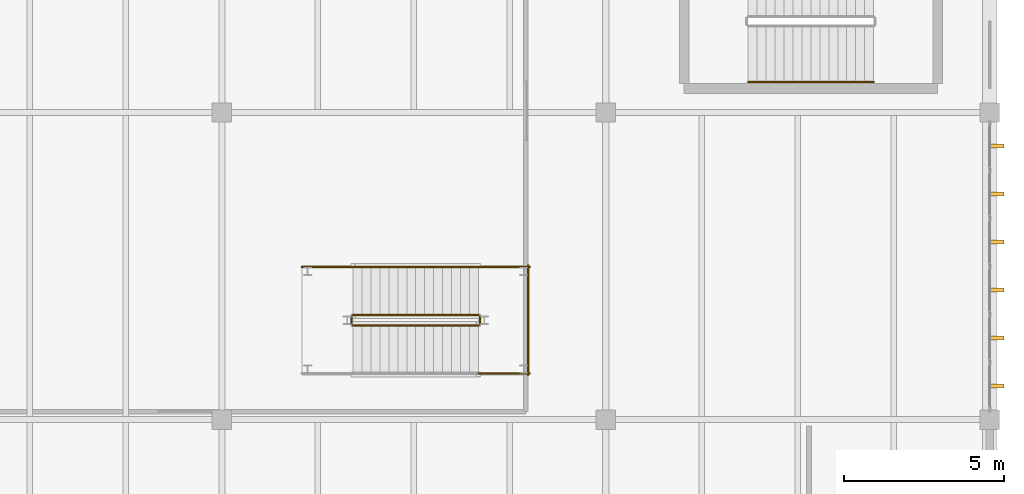
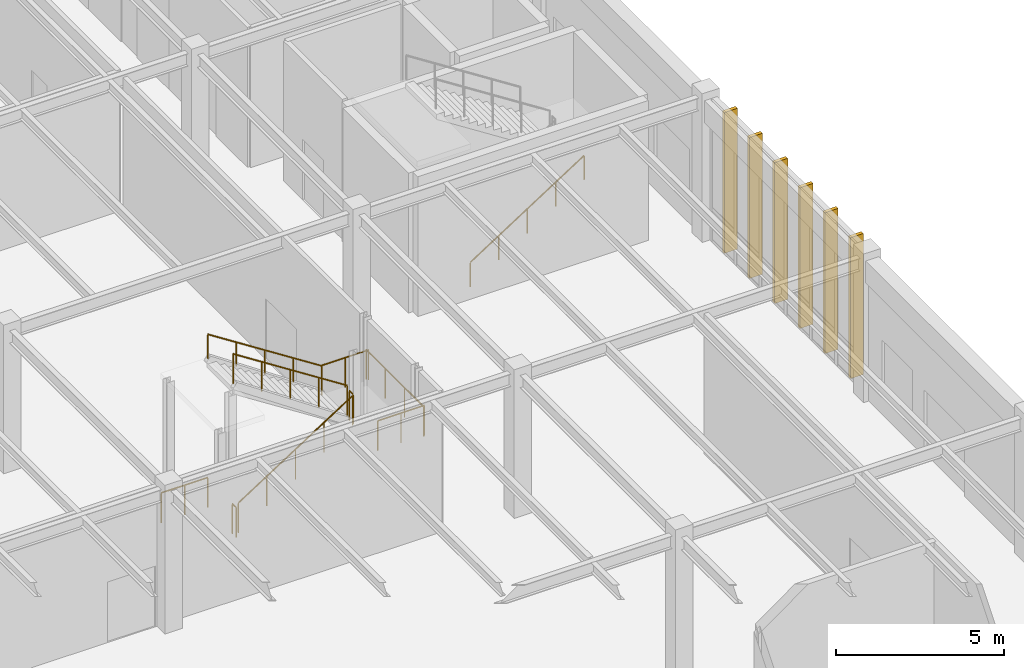
# One storey, part 182 of 188: 10 railings, 6 shading devices.
"""IFC4 building model written with IfcOpenShell, lengths in metres."""

from ifc_helpers import new_model, si_unit, direction, frame, origin, origin_2d, place, context, subcontext, project, spatial, rectangle, circle, extrude, material, type_object, element, save


model = new_model("IFC4")

# Units and contexts
model_context = context("Model", 3, precision=1e-05, world=origin(), true_north=direction((0.0, 1.0)))
body_context = subcontext(model_context, "Body", "Model", "MODEL_VIEW")
ifc_project = project(units=[si_unit("LENGTHUNIT", "METRE"), si_unit("AREAUNIT", "SQUARE_METRE"), si_unit("VOLUMEUNIT", "CUBIC_METRE"), si_unit("PLANEANGLEUNIT", "RADIAN"), si_unit("MASSUNIT", "GRAM", prefix="KILO")], contexts=[model_context])

# Site, building, storey
site_placement = place(None, origin())
site = spatial("IfcSite", under=ifc_project, at=site_placement, CompositionType="ELEMENT")
building_placement = place(site_placement, origin())
building = spatial("IfcBuilding", under=site, at=building_placement, Name="Pandanus Reach Market Hall", CompositionType="ELEMENT")
storey_placement = place(building_placement, origin())
storey = spatial("IfcBuildingStorey", under=building, at=storey_placement, Name="L00", CompositionType="ELEMENT", Elevation=0.0)

# Shading devices
ifc_material_1 = material(Name="Precast concrete S50 (50 MPa)", Category="concrete")
shading_device_type = type_object("IfcShadingDeviceType", Name="FN-S50-450", PredefinedType="JALOUSIE", material=ifc_material_1)
for number, where, z_axis, x_axis, name in (
    (1, (180.219970703125, 20.25, -0.010009765625), (0.0, 0.0, 1.0), (1.0, 0.0, 0.0), "Precast brise-soleil fin 267"),
    (2, (180.219970703125, 21.75, -0.010009765625), (0.0, 0.0, 1.0), (1.0, 0.0, 0.0), "Precast brise-soleil fin 268"),
    (3, (180.219970703125, 23.25, -0.010009765625), (0.0, 0.0, 1.0), (1.0, 0.0, 0.0), "Precast brise-soleil fin 269"),
    (4, (180.219970703125, 24.75, -0.010009765625), (0.0, 0.0, 1.0), (1.0, 0.0, 0.0), "Precast brise-soleil fin 270"),
    (5, (180.219970703125, 26.25, -0.010009765625), (0.0, 0.0, 1.0), (1.0, 0.0, 0.0), "Precast brise-soleil fin 271"),
    (6, (180.219970703125, 27.75, -0.010009765625), (0.0, 0.0, 1.0), (1.0, 0.0, 0.0), "Precast brise-soleil fin 272"),
):
    element("IfcShadingDevice", number, at=place(storey_placement, frame(where, z_axis=z_axis, x_axis=x_axis)), inside=storey, type_object=shading_device_type, Name=name, PredefinedType="JALOUSIE", context=body_context, shape_type="SweptSolid", body=[
        extrude(rectangle(XDim=0.449951171875, YDim=0.1201171875, at=origin_2d()), origin(), (0.0, 0.0, 1.0), 5.1201171875),
    ])

# Railings
ifc_material_2 = material(Name="Galvanised steel Grade 350 (350 MPa)", Category="steel")
railing_type_1 = type_object("IfcRailingType", Name="GR-INT-110", PredefinedType="GUARDRAIL", material=ifc_material_2)
railing_1_placement = place(storey_placement, frame((160.10009765625, 22.14990234375, 0.179931640625)))
element("IfcRailing", 7, at=railing_1_placement, inside=storey, type_object=railing_type_1, Name="Stair guard ST-11 L00.181", PredefinedType="GUARDRAIL", context=body_context, shape_type="SweptSolid", body=[
    extrude(circle(Radius=0.02392578125, at=origin_2d()), frame((0.0, 0.0, 1.076171875), z_axis=(0.841171666519, 0.0, 0.540768182723), x_axis=(0.0, 1.0, 0.0)), (0.0, 0.0, 1.0), 4.66015625),
    extrude(circle(Radius=0.02099609375, at=origin_2d()), origin(), (0.0, 0.0, 1.0), 1.052001953125),
    extrude(circle(Radius=0.02099609375, at=origin_2d()), frame((0.97998046875, 0.0, 0.6298828125)), (0.0, 0.0, 1.0), 1.052001953125),
    extrude(circle(Radius=0.02099609375, at=origin_2d()), frame((1.9599609375, 0.0, 1.260009765625)), (0.0, 0.0, 1.0), 1.052001953125),
    extrude(circle(Radius=0.02099609375, at=origin_2d()), frame((2.93994140625, 0.0, 1.89013671875)), (0.0, 0.0, 1.0), 1.052001953125),
    extrude(circle(Radius=0.02099609375, at=origin_2d()), frame((3.919921875, 0.0, 2.52001953125)), (0.0, 0.0, 1.0), 1.052001953125),
])
railing_2_placement = place(storey_placement, frame((164.070068359375, 22.199951171875, 2.699951171875)))
element("IfcRailing", 8, at=railing_2_placement, inside=storey, type_object=railing_type_1, Name="Stair guard ST-11 L00.182", PredefinedType="GUARDRAIL", context=body_context, shape_type="SweptSolid", body=[
    extrude(circle(Radius=0.02392578125, at=origin_2d()), frame((0.0, 0.0, 1.076171875), z_axis=(0.0, 1.0, 0.0), x_axis=(-1.0, 0.0, 0.0)), (0.0, 0.0, 1.0), 0.219970703125),
    extrude(circle(Radius=0.02099609375, at=origin_2d()), origin(), (0.0, 0.0, 1.0), 1.052001953125),
    extrude(circle(Radius=0.02099609375, at=origin_2d()), frame((0.0, 0.219970703125, 0.0)), (0.0, 0.0, 1.0), 1.052001953125),
])
for number, where, name in (
    (9, (164.02001953125, 20.64990234375, 2.699951171875), "Stair guard ST-11 L00.183"),
    (10, (164.02001953125, 23.969970703125, 2.699951171875), "Stair guard ST-11 L00.184"),
):
    element("IfcRailing", number, at=place(storey_placement, frame(where)), inside=storey, type_object=railing_type_1, Name=name, PredefinedType="GUARDRAIL", context=body_context, shape_type="SweptSolid", body=[
        extrude(circle(Radius=0.02392578125, at=origin_2d()), frame((0.0, 0.0, 1.076171875), z_axis=(1.0, 0.0, 0.0), x_axis=(0.0, 1.0, 0.0)), (0.0, 0.0, 1.0), 1.60009765625),
        extrude(circle(Radius=0.02099609375, at=origin_2d()), origin(), (0.0, 0.0, 1.0), 1.052001953125),
        extrude(circle(Radius=0.02099609375, at=origin_2d()), frame((0.800048828125, 0.0, 0.0)), (0.0, 0.0, 1.0), 1.052001953125),
        extrude(circle(Radius=0.02099609375, at=origin_2d()), frame((1.60009765625, 0.0, 0.0)), (0.0, 0.0, 1.0), 1.052001953125),
    ])
railing_3_placement = place(storey_placement, frame((165.570068359375, 20.60009765625, 2.699951171875)))
element("IfcRailing", 11, at=railing_3_placement, inside=storey, type_object=railing_type_1, Name="Stair guard ST-11 L00.185", PredefinedType="GUARDRAIL", context=body_context, shape_type="SweptSolid", body=[
    extrude(circle(Radius=0.02392578125, at=origin_2d()), frame((0.0, 0.0, 1.076171875), z_axis=(0.0, 1.0, 0.0), x_axis=(-1.0, 0.0, 0.0)), (0.0, 0.0, 1.0), 3.419921875),
    extrude(circle(Radius=0.02099609375, at=origin_2d()), origin(), (0.0, 0.0, 1.0), 1.052001953125),
    extrude(circle(Radius=0.02099609375, at=origin_2d()), frame((0.0, 1.139892578125, 0.0)), (0.0, 0.0, 1.0), 1.052001953125),
    extrude(circle(Radius=0.02099609375, at=origin_2d()), frame((0.0, 2.280029296875, 0.0)), (0.0, 0.0, 1.0), 1.052001953125),
    extrude(circle(Radius=0.02099609375, at=origin_2d()), frame((0.0, 3.419921875, 0.0)), (0.0, 0.0, 1.0), 1.052001953125),
])
railing_4_placement = place(storey_placement, frame((164.02001953125, 22.469970703125, 2.8798828125)))
element("IfcRailing", 12, at=railing_4_placement, inside=storey, type_object=railing_type_1, Name="Stair guard ST-11 L00.186", PredefinedType="GUARDRAIL", context=body_context, shape_type="SweptSolid", body=[
    extrude(circle(Radius=0.02392578125, at=origin_2d()), frame((0.0, 0.0, 1.076171875), z_axis=(-0.841171666519, 0.0, 0.540768182723), x_axis=(0.0, -1.0, 0.0)), (0.0, 0.0, 1.0), 4.66015625),
    extrude(circle(Radius=0.02099609375, at=origin_2d()), origin(), (0.0, 0.0, 1.0), 1.052001953125),
    extrude(circle(Radius=0.02099609375, at=origin_2d()), frame((-0.97998046875, 0.0, 0.6298828125)), (0.0, 0.0, 1.0), 1.052001953125),
    extrude(circle(Radius=0.02099609375, at=origin_2d()), frame((-1.9599609375, 0.0, 1.260009765625)), (0.0, 0.0, 1.0), 1.052001953125),
    extrude(circle(Radius=0.02099609375, at=origin_2d()), frame((-2.93994140625, 0.0, 1.89013671875)), (0.0, 0.0, 1.0), 1.052001953125),
    extrude(circle(Radius=0.02099609375, at=origin_2d()), frame((-3.919921875, 0.0, 2.52001953125)), (0.0, 0.0, 1.0), 1.052001953125),
])
railing_5_placement = place(storey_placement, frame((160.050048828125, 22.199951171875, 0.0)))
element("IfcRailing", 13, at=railing_5_placement, inside=storey, type_object=railing_type_1, Name="Stair guard ST-11 L00.187", PredefinedType="GUARDRAIL", context=body_context, shape_type="SweptSolid", body=[
    extrude(circle(Radius=0.02392578125, at=origin_2d()), frame((0.0, 0.0, 1.076171875), z_axis=(0.0, 1.0, 0.0), x_axis=(-1.0, 0.0, 0.0)), (0.0, 0.0, 1.0), 0.219970703125),
    extrude(circle(Radius=0.02099609375, at=origin_2d()), origin(), (0.0, 0.0, 1.0), 1.052001953125),
    extrude(circle(Radius=0.02099609375, at=origin_2d()), frame((0.0, 0.219970703125, 0.0)), (0.0, 0.0, 1.0), 1.052001953125),
])
railing_6_placement = place(storey_placement, frame((158.5, 23.969970703125, 0.0)))
element("IfcRailing", 14, at=railing_6_placement, inside=storey, type_object=railing_type_1, Name="Stair guard ST-11 L00.189", PredefinedType="GUARDRAIL", context=body_context, shape_type="SweptSolid", body=[
    extrude(circle(Radius=0.02392578125, at=origin_2d()), frame((0.0, 0.0, 1.076171875), z_axis=(1.0, 0.0, 0.0), x_axis=(0.0, 1.0, 0.0)), (0.0, 0.0, 1.0), 1.60009765625),
    extrude(circle(Radius=0.02099609375, at=origin_2d()), origin(), (0.0, 0.0, 1.0), 1.052001953125),
    extrude(circle(Radius=0.02099609375, at=origin_2d()), frame((0.800048828125, 0.0, 0.0)), (0.0, 0.0, 1.0), 1.052001953125),
    extrude(circle(Radius=0.02099609375, at=origin_2d()), frame((1.60009765625, 0.0, 0.0)), (0.0, 0.0, 1.0), 1.052001953125),
])
ifc_material_3 = material(Name="Brushed stainless steel", Category="steel")
railing_type_2 = type_object("IfcRailingType", Name="HR-WAL-090", PredefinedType="HANDRAIL", material=ifc_material_3)
railing_7_placement = place(storey_placement, frame((172.449951171875, 29.75, 0.179931640625)))
element("IfcRailing", 15, at=railing_7_placement, inside=storey, type_object=railing_type_2, Name="Stair handrail ST-01 L00.11", PredefinedType="HANDRAIL", context=body_context, shape_type="SweptSolid", body=[
    extrude(circle(Radius=0.02392578125, at=origin_2d()), frame((0.0, 0.0, 0.8759765625), z_axis=(0.841186985886, 0.0, 0.540744352514), x_axis=(0.0, 1.0, 0.0)), (0.0, 0.0, 1.0), 4.660400390625),
    extrude(circle(Radius=0.02099609375, at=origin_2d()), origin(), (0.0, 0.0, 1.0), 0.851806640625),
    extrude(circle(Radius=0.02099609375, at=origin_2d()), frame((0.97998046875, 0.0, 0.6298828125)), (0.0, 0.0, 1.0), 0.851806640625),
    extrude(circle(Radius=0.02099609375, at=origin_2d()), frame((1.9599609375, 0.0, 1.260009765625)), (0.0, 0.0, 1.0), 0.851806640625),
    extrude(circle(Radius=0.02099609375, at=origin_2d()), frame((2.940185546875, 0.0, 1.89013671875)), (0.0, 0.0, 1.0), 0.851806640625),
    extrude(circle(Radius=0.02099609375, at=origin_2d()), frame((3.920166015625, 0.0, 2.52001953125)), (0.0, 0.0, 1.0), 0.851806640625),
])
railing_8_placement = place(storey_placement, frame((164.02001953125, 23.969970703125, 2.8798828125)))
element("IfcRailing", 16, at=railing_8_placement, inside=storey, type_object=railing_type_2, Name="Stair handrail ST-11 L00.191", PredefinedType="HANDRAIL", context=body_context, shape_type="SweptSolid", body=[
    extrude(circle(Radius=0.02392578125, at=origin_2d()), frame((0.0, 0.0, 0.8759765625), z_axis=(-0.841171666519, 0.0, 0.540768182723), x_axis=(0.0, -1.0, 0.0)), (0.0, 0.0, 1.0), 4.66015625),
    extrude(circle(Radius=0.02099609375, at=origin_2d()), origin(), (0.0, 0.0, 1.0), 0.851806640625),
    extrude(circle(Radius=0.02099609375, at=origin_2d()), frame((-0.97998046875, 0.0, 0.6298828125)), (0.0, 0.0, 1.0), 0.851806640625),
    extrude(circle(Radius=0.02099609375, at=origin_2d()), frame((-1.9599609375, 0.0, 1.260009765625)), (0.0, 0.0, 1.0), 0.851806640625),
    extrude(circle(Radius=0.02099609375, at=origin_2d()), frame((-2.93994140625, 0.0, 1.89013671875)), (0.0, 0.0, 1.0), 0.851806640625),
    extrude(circle(Radius=0.02099609375, at=origin_2d()), frame((-3.919921875, 0.0, 2.52001953125)), (0.0, 0.0, 1.0), 0.851806640625),
])

save(model, "model.ifc")
